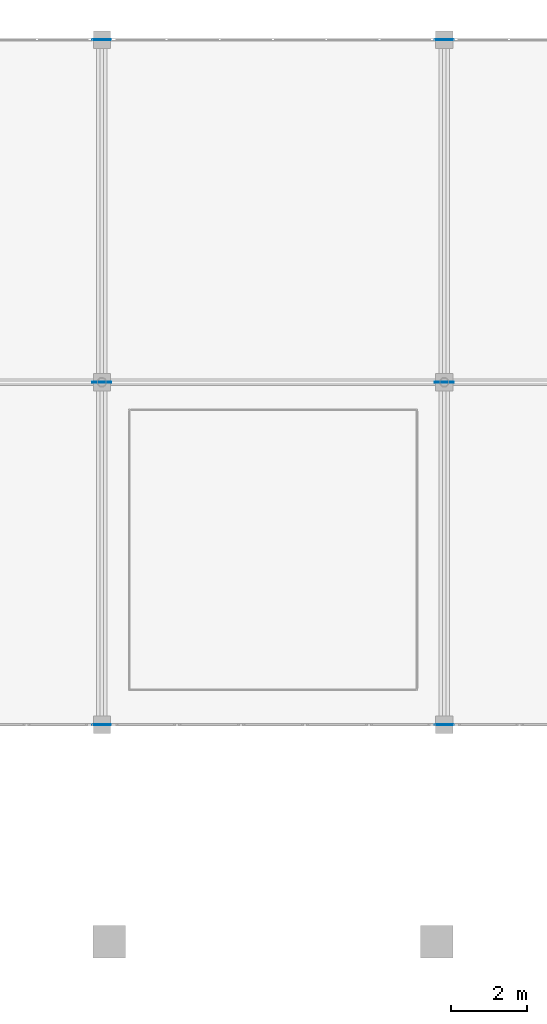
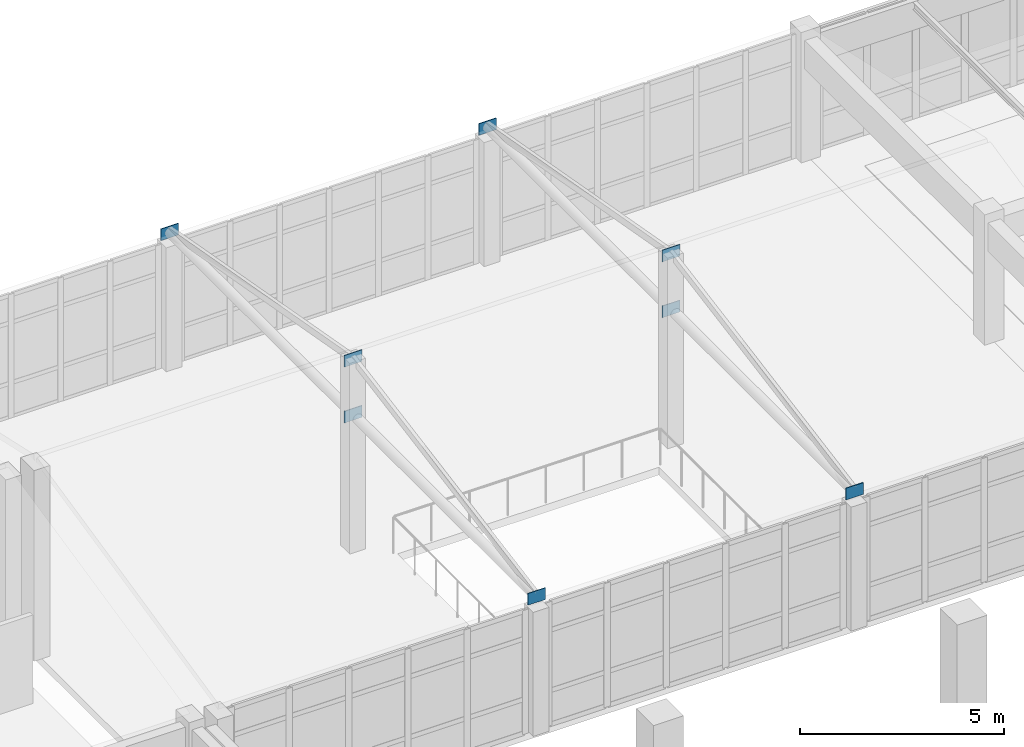
# One storey, part 126 of 156: 8 plates.
"""IFC4 building model written with IfcOpenShell, lengths in metres."""

from ifc_helpers import new_model, si_unit, direction, frame, origin, origin_2d, place, context, subcontext, project, spatial, rectangle, extrude, material, layer, layer_set, type_object, element, save


model = new_model("IFC4")

# Units and contexts
model_context = context("Model", 3, precision=1e-05, world=origin(), true_north=direction((0.0, 1.0)))
body_context = subcontext(model_context, "Body", "Model", "MODEL_VIEW")
ifc_project = project(units=[si_unit("LENGTHUNIT", "METRE"), si_unit("AREAUNIT", "SQUARE_METRE"), si_unit("VOLUMEUNIT", "CUBIC_METRE"), si_unit("PLANEANGLEUNIT", "RADIAN"), si_unit("MASSUNIT", "GRAM", prefix="KILO")], contexts=[model_context])

# Site, building, storey
site_placement = place(None, origin())
site = spatial("IfcSite", under=ifc_project, at=site_placement, CompositionType="ELEMENT")
building_placement = place(site_placement, origin())
building = spatial("IfcBuilding", under=site, at=building_placement, Name="Ornek Quay Market", CompositionType="ELEMENT")
storey_placement = place(building_placement, frame((0.0, 0.0, 4.5)))
storey = spatial("IfcBuildingStorey", under=building, at=storey_placement, Name="L01", CompositionType="ELEMENT", Elevation=4.5)

# Plates
ifc_material = material(Name="Steel S355", Category="steel")
ifc_layer = layer(ifc_material, 0.02001953125, Name="Steel S355", Category="steel")
ifc_layer_set = layer_set([ifc_layer], Name="Steel S355")
plate_type = type_object("IfcPlateType", Name="PL-FLG-500x350x20", PredefinedType="USERDEFINED", material=ifc_layer_set)
for number, where, z_axis, x_axis, name in (
    (1, (135.0, 92.0, 3.804931640625), (0.0, 0.0, 1.0), (1.0, 0.0, 0.0), "Skylight truss connection plate E-135-1"),
    (2, (135.0, 101.0, 3.804931640625), (0.0, 0.0, 1.0), (1.0, 0.0, 0.0), "Skylight truss connection plate E-135-2"),
    (3, (135.0, 101.0, 5.474853515625), (0.0, 0.0, 1.0), (1.0, 0.0, 0.0), "Skylight truss connection plate E-135-3"),
    (4, (135.0, 110.0, 3.804931640625), (0.0, 0.0, 1.0), (1.0, 0.0, 0.0), "Skylight truss connection plate E-135-4"),
    (5, (144.0, 92.0, 3.804931640625), (0.0, 0.0, 1.0), (1.0, 0.0, 0.0), "Skylight truss connection plate E-144-1"),
    (6, (144.0, 101.0, 3.804931640625), (0.0, 0.0, 1.0), (1.0, 0.0, 0.0), "Skylight truss connection plate E-144-2"),
    (7, (144.0, 101.0, 5.474853515625), (0.0, 0.0, 1.0), (1.0, 0.0, 0.0), "Skylight truss connection plate E-144-3"),
    (8, (144.0, 110.0, 3.804931640625), (0.0, 0.0, 1.0), (1.0, 0.0, 0.0), "Skylight truss connection plate E-144-4"),
):
    element("IfcPlate", number, at=place(storey_placement, frame(where, z_axis=z_axis, x_axis=x_axis)), inside=storey, type_object=plate_type, Name=name, ObjectType="FLANGE PLATE", PredefinedType="USERDEFINED", context=body_context, shape_type="SweptSolid", body=[
        extrude(rectangle(XDim=0.5, YDim=0.02001953125, at=origin_2d()), origin(), (0.0, 0.0, 1.0), 0.35009765625),
    ])

save(model, "model.ifc")
